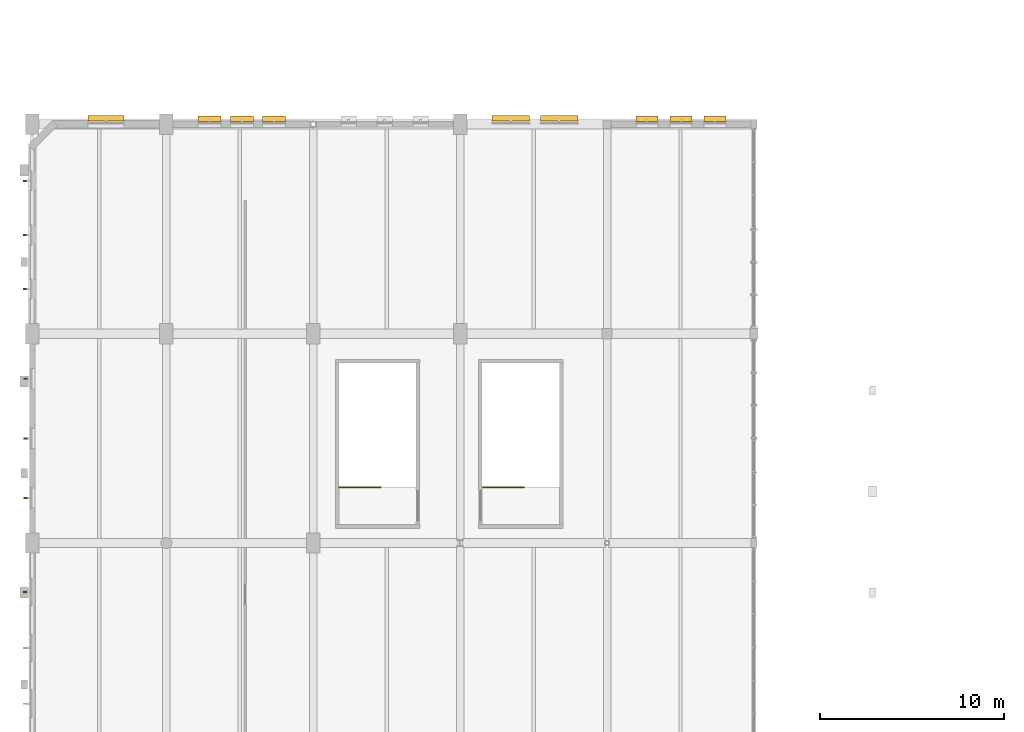
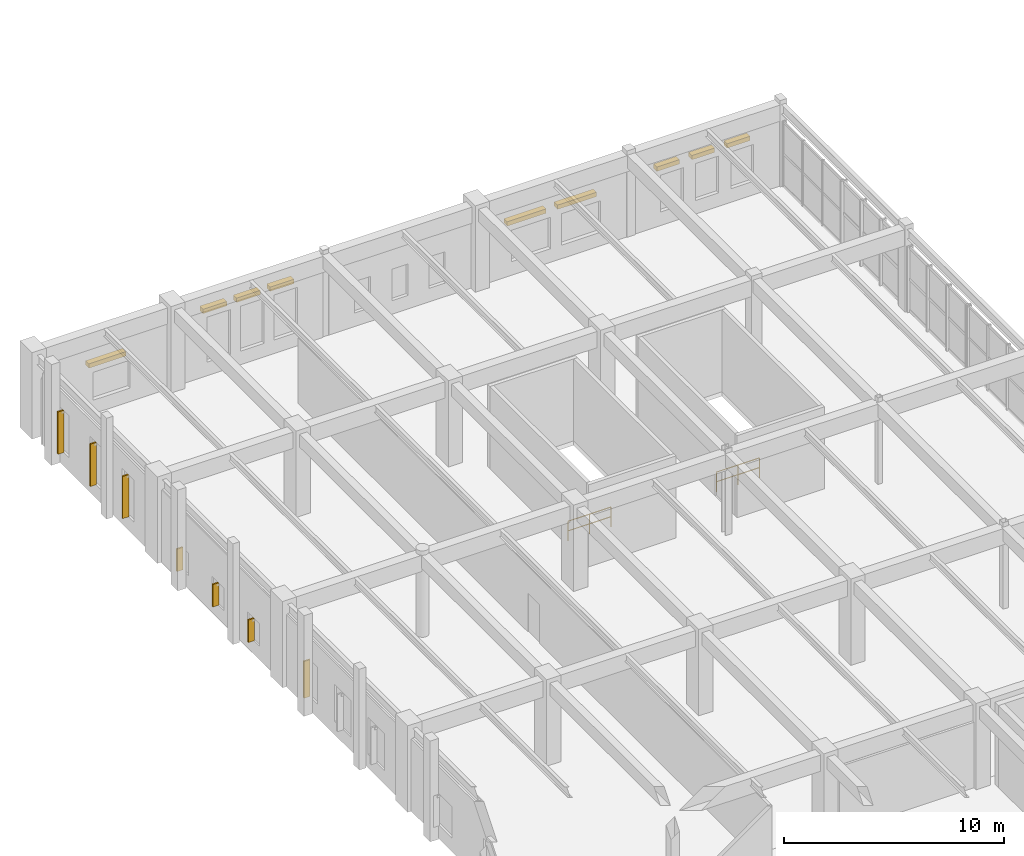
# One storey, part 100 of 106: 16 shading devices, 2 railings.
"""IFC4 building model written with IfcOpenShell, lengths in metres."""

from ifc_helpers import new_model, si_unit, direction, frame, origin, origin_2d, place, context, subcontext, project, spatial, rectangle, circle, extrude, material, type_object, element, save


model = new_model("IFC4")

# Units and contexts
model_context = context("Model", 3, precision=1e-05, world=origin(), true_north=direction((0.0, 1.0)))
body_context = subcontext(model_context, "Body", "Model", "MODEL_VIEW")
ifc_project = project(units=[si_unit("LENGTHUNIT", "METRE"), si_unit("AREAUNIT", "SQUARE_METRE"), si_unit("VOLUMEUNIT", "CUBIC_METRE"), si_unit("PLANEANGLEUNIT", "RADIAN"), si_unit("MASSUNIT", "GRAM", prefix="KILO"), si_unit("POWERUNIT", "WATT"), si_unit("THERMODYNAMICTEMPERATUREUNIT", "KELVIN")], contexts=[model_context])

# Site, building, storey
site_placement = place(None, origin())
site = spatial("IfcSite", under=ifc_project, at=site_placement, CompositionType="ELEMENT")
building_placement = place(site_placement, origin())
building = spatial("IfcBuilding", under=site, at=building_placement, Name="Kelmbourne Parkland Aquatics Centre", CompositionType="ELEMENT")
storey_placement = place(building_placement, frame((0.0, 0.0, 5.39990234375)))
storey = spatial("IfcBuildingStorey", under=building, at=storey_placement, Name="L01", CompositionType="ELEMENT", Elevation=5.39990234375)

# Railings
ifc_material_1 = material(Name="Grade 316 marine stainless steel", Category="steel")
railing_type = type_object("IfcRailingType", Name="RL-GD-112", PredefinedType="GUARDRAIL", material=ifc_material_1)
for number, where, name in (
    (1, (25.219970703125, 72.25, 0.0), "West North Prow Exit Stair top well guardrail"),
    (2, (17.419921875, 72.25, 0.0), "West Mid-Wing Exit Stair top well guardrail"),
):
    element("IfcRailing", number, at=place(storey_placement, frame(where)), inside=storey, type_object=railing_type, Name=name, PredefinedType="GUARDRAIL", context=body_context, shape_type="SweptSolid", body=[
        extrude(circle(Radius=0.02392578125, at=origin_2d()), frame((0.0, 0.0, 1.09619140625), z_axis=(1.0, 0.0, 0.0), x_axis=(0.0, 1.0, 0.0)), (0.0, 0.0, 1.0), 2.260009765625),
        extrude(circle(Radius=0.02392578125, at=origin_2d()), frame((0.0, 0.0, 0.56005859375), z_axis=(1.0, 0.0, 0.0), x_axis=(0.0, 1.0, 0.0)), (0.0, 0.0, 1.0), 2.260009765625),
        extrude(circle(Radius=0.02099609375, at=origin_2d()), origin(), (0.0, 0.0, 1.0), 1.072021484375),
        extrude(circle(Radius=0.02099609375, at=origin_2d()), frame((1.1298828125, 0.0, 0.0)), (0.0, 0.0, 1.0), 1.072021484375),
        extrude(circle(Radius=0.02099609375, at=origin_2d()), frame((2.260009765625, 0.0, 0.0)), (0.0, 0.0, 1.0), 1.072021484375),
    ])

# Shading devices
ifc_material_2 = material(Name="Architectural extruded terracotta baguettes", Category="masonry")
shading_device_type_1 = type_object("IfcShadingDeviceType", Name="SHD-FIN-1", PredefinedType="USERDEFINED", material=ifc_material_2)
shading_device_1_placement = place(storey_placement, frame((0.385009765625, 66.548095703125, 0.75), z_axis=(0.0, 0.0, 1.0), x_axis=(0.0, 1.0, 0.0)))
element("IfcShadingDevice", 3, at=shading_device_1_placement, inside=storey, type_object=shading_device_type_1, Name="Terracotta vertical solar fin 087", ObjectType="SOLAR FIN", PredefinedType="USERDEFINED", context=body_context, shape_type="SweptSolid", body=[
    extrude(rectangle(XDim=0.080078125, YDim=0.320068359375, at=origin_2d()), origin(), (0.0, 0.0, 1.0), 2.050048828125),
])
for number, where, z_axis, x_axis, name in (
    (4, (0.405029296875, 71.652099609375, 0.75), (0.0, 0.0, 1.0), (0.0, 1.0, 0.0), "Terracotta vertical solar fin 088"),
    (5, (0.405029296875, 74.89990234375, 0.75), (0.0, 0.0, 1.0), (0.0, 1.0, 0.0), "Terracotta vertical solar fin 089"),
    (6, (0.405029296875, 78.14794921875, 0.75), (0.0, 0.0, 1.0), (0.0, 1.0, 0.0), "Terracotta vertical solar fin 090"),
):
    element("IfcShadingDevice", number, at=place(storey_placement, frame(where, z_axis=z_axis, x_axis=x_axis)), inside=storey, type_object=shading_device_type_1, Name=name, ObjectType="SOLAR FIN", PredefinedType="USERDEFINED", context=body_context, shape_type="SweptSolid", body=[
        extrude(rectangle(XDim=0.080078125, YDim=0.320068359375, at=origin_2d()), origin(), (0.0, 0.0, 1.0), 1.25),
    ])
for number, where, z_axis, x_axis, name in (
    (7, (0.364990234375, 83.027099609375, 0.75), (0.0, 0.0, 1.0), (0.0, 1.0, 0.0), "Terracotta vertical solar fin 091"),
    (8, (0.364990234375, 85.97607421875, 0.75), (0.0, 0.0, 1.0), (0.0, 1.0, 0.0), "Terracotta vertical solar fin 092"),
    (9, (0.364990234375, 88.925048828125, 0.75), (0.0, 0.0, 1.0), (0.0, 1.0, 0.0), "Terracotta vertical solar fin 093"),
):
    element("IfcShadingDevice", number, at=place(storey_placement, frame(where, z_axis=z_axis, x_axis=x_axis)), inside=storey, type_object=shading_device_type_1, Name=name, ObjectType="SOLAR FIN", PredefinedType="USERDEFINED", context=body_context, shape_type="SweptSolid", body=[
        extrude(rectangle(XDim=0.080078125, YDim=0.320068359375, at=origin_2d()), origin(), (0.0, 0.0, 1.0), 2.35009765625),
    ])
shading_device_type_2 = type_object("IfcShadingDeviceType", Name="SHD-JAL-1", PredefinedType="JALOUSIE", material=ifc_material_2)
shading_device_2_placement = place(storey_placement, frame((4.71142578125, 92.3349609375, 2.30029296875), z_axis=(0.0, 0.0, 1.0), x_axis=(1.0, 0.0, 0.0)))
element("IfcShadingDevice", 10, at=shading_device_2_placement, inside=storey, type_object=shading_device_type_2, Name="Terracotta horizontal jalousie hood 104", PredefinedType="JALOUSIE", context=body_context, shape_type="SweptSolid", body=[
    extrude(rectangle(XDim=1.949951171875, YDim=0.300048828125, at=origin_2d()), origin(), (0.0, 0.0, 1.0), 0.239990234375),
])
for number, where, z_axis, x_axis, name in (
    (11, (10.35205078125, 92.31494140625, 3.25), (0.0, 0.0, 1.0), (1.0, 0.0, 0.0), "Terracotta horizontal jalousie hood 105"),
    (12, (12.112548828125, 92.31494140625, 3.25), (0.0, 0.0, 1.0), (1.0, 0.0, 0.0), "Terracotta horizontal jalousie hood 106"),
    (13, (13.873046875, 92.31494140625, 3.25), (0.0, 0.0, 1.0), (1.0, 0.0, 0.0), "Terracotta horizontal jalousie hood 107"),
):
    element("IfcShadingDevice", number, at=place(storey_placement, frame(where, z_axis=z_axis, x_axis=x_axis)), inside=storey, type_object=shading_device_type_2, Name=name, PredefinedType="JALOUSIE", context=body_context, shape_type="SweptSolid", body=[
        extrude(rectangle(XDim=1.25, YDim=0.300048828125, at=origin_2d()), origin(), (0.0, 0.0, 1.0), 0.239990234375),
    ])
for number, where, z_axis, x_axis, name in (
    (14, (26.751953125, 92.3349609375, 2.5), (0.0, 0.0, 1.0), (1.0, 0.0, 0.0), "Terracotta horizontal jalousie hood 111"),
    (15, (29.39794921875, 92.3349609375, 2.5), (0.0, 0.0, 1.0), (1.0, 0.0, 0.0), "Terracotta horizontal jalousie hood 112"),
):
    element("IfcShadingDevice", number, at=place(storey_placement, frame(where, z_axis=z_axis, x_axis=x_axis)), inside=storey, type_object=shading_device_type_2, Name=name, PredefinedType="JALOUSIE", context=body_context, shape_type="SweptSolid", body=[
        extrude(rectangle(XDim=2.050048828125, YDim=0.300048828125, at=origin_2d()), origin(), (0.0, 0.0, 1.0), 0.239990234375),
    ])
for number, where, z_axis, x_axis, name in (
    (16, (34.177001953125, 92.31494140625, 2.80029296875), (0.0, 0.0, 1.0), (1.0, 0.0, 0.0), "Terracotta horizontal jalousie hood 113"),
    (17, (36.02490234375, 92.31494140625, 2.80029296875), (0.0, 0.0, 1.0), (1.0, 0.0, 0.0), "Terracotta horizontal jalousie hood 114"),
    (18, (37.873046875, 92.31494140625, 2.80029296875), (0.0, 0.0, 1.0), (1.0, 0.0, 0.0), "Terracotta horizontal jalousie hood 115"),
):
    element("IfcShadingDevice", number, at=place(storey_placement, frame(where, z_axis=z_axis, x_axis=x_axis)), inside=storey, type_object=shading_device_type_2, Name=name, PredefinedType="JALOUSIE", context=body_context, shape_type="SweptSolid", body=[
        extrude(rectangle(XDim=1.199951171875, YDim=0.300048828125, at=origin_2d()), origin(), (0.0, 0.0, 1.0), 0.239990234375),
    ])

save(model, "model.ifc")
